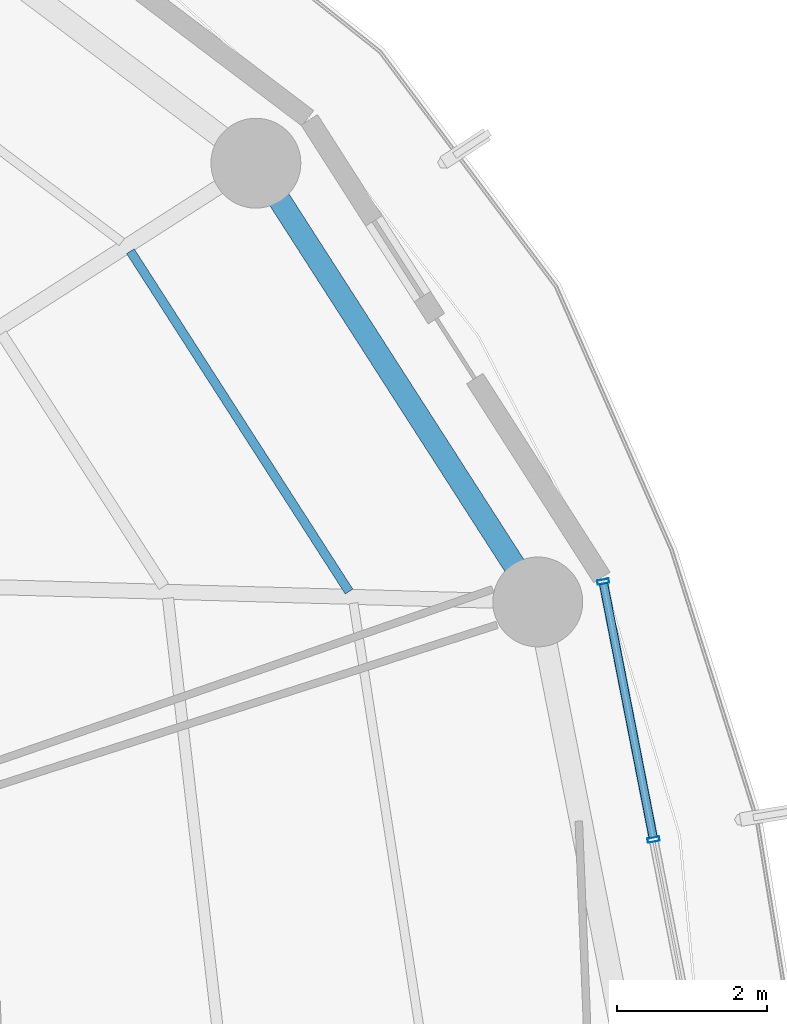
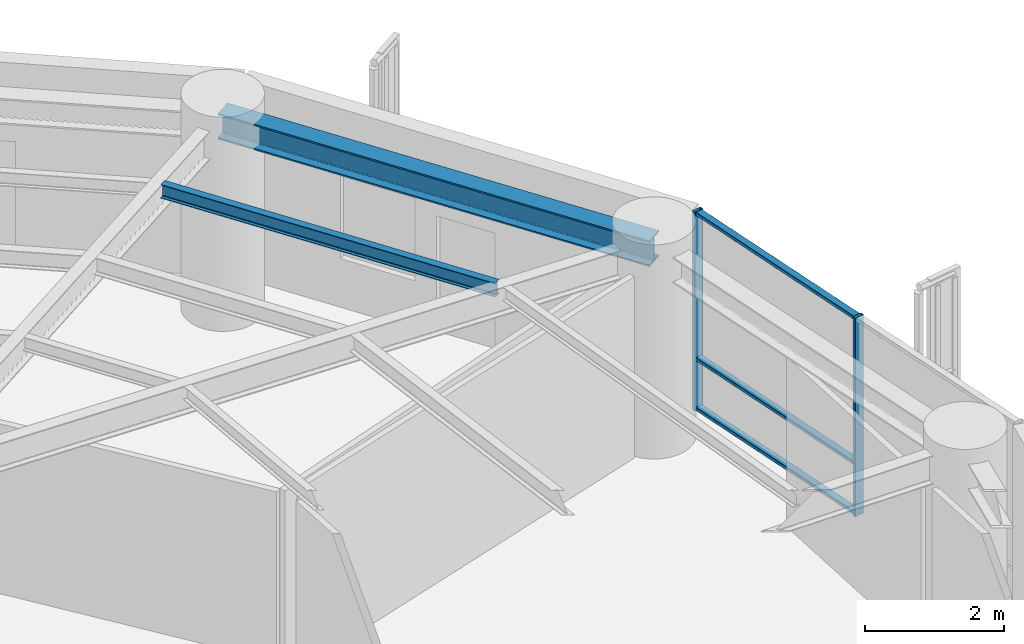
# One storey, part 15 of 27: 5 members, 2 beams, 1 element without a shape of its own.
"""IFC4 building model written with IfcOpenShell, lengths in metres."""

from ifc_helpers import new_model, si_unit, direction, frame, origin, origin_2d, place, context, subcontext, project, spatial, hollow_rectangle, i_section, extrude, material, layer, layer_set, material_profile, profile_set, type_object, element, aggregate, save


model = new_model("IFC4")

# Units and contexts
model_context = context("Model", 3, precision=1e-05, world=origin(), true_north=direction((0.0, 1.0)))
body_context = subcontext(model_context, "Body", "Model", "MODEL_VIEW")
ifc_project = project(units=[si_unit("LENGTHUNIT", "METRE"), si_unit("AREAUNIT", "SQUARE_METRE"), si_unit("VOLUMEUNIT", "CUBIC_METRE"), si_unit("PLANEANGLEUNIT", "RADIAN"), si_unit("MASSUNIT", "GRAM", prefix="KILO")], contexts=[model_context])

# Site, building, storey
site_placement = place(None, origin())
site = spatial("IfcSite", under=ifc_project, at=site_placement, CompositionType="ELEMENT")
building_placement = place(site_placement, origin())
building = spatial("IfcBuilding", under=site, at=building_placement, Name="Kelanora Arch Commons", CompositionType="ELEMENT")
storey_placement = place(building_placement, frame((0.0, 0.0, 173.10009765625)))
storey = spatial("IfcBuildingStorey", under=building, at=storey_placement, Name="L44", CompositionType="ELEMENT", Elevation=173.10009765625)

# Beams
ifc_material_1 = material(Name="Steel S355", Category="steel")
ifc_material_profile_1 = material_profile(ifc_material_1, i_section(OverallWidth=0.1201171875, OverallDepth=0.239990234375, WebThickness=0.006103515625, FlangeThickness=0.009765625, FilletRadius=0.014892578125, at=origin_2d()), Name="IPE240")
ifc_profile_set_1 = profile_set([ifc_material_profile_1], Name="Steel S355")
beam_type_1 = type_object("IfcBeamType", Name="BM-JST-02", PredefinedType="JOIST", material=ifc_profile_set_1)
beam_1_placement = place(storey_placement, frame((91.85205078125, 64.801513671875, 3.369873046875), z_axis=(-0.540581678156, 0.841291536414, 0.0), x_axis=(-0.841291536414, -0.540581678156, 0.0)))
element("IfcBeam", 1, at=beam_1_placement, inside=storey, type_object=beam_type_1, Name="Secondary Chord Joist BJC-02 L44", PredefinedType="JOIST", context=body_context, shape_type="SweptSolid", body=[
    extrude(i_section(OverallWidth=0.1201171875, OverallDepth=0.239990234375, WebThickness=0.006103515625, FlangeThickness=0.009765625, FilletRadius=0.014892578125, at=origin_2d()), origin(), (0.0, 0.0, 1.0), 5.4013671875),
])
ifc_material_profile_2 = material_profile(ifc_material_1, i_section(OverallWidth=0.300048828125, OverallDepth=0.449951171875, WebThickness=0.013916015625, FlangeThickness=0.02587890625, FilletRadius=0.027099609375, at=origin_2d()), Name="HEB450")
ifc_profile_set_2 = profile_set([ifc_material_profile_2], Name="Steel S355")
beam_type_2 = type_object("IfcBeamType", Name="BM-SPN-Z3", PredefinedType="SPANDREL", material=ifc_profile_set_2)
beam_2_placement = place(storey_placement, frame((94.37255859375, 64.66259765625, 3.264892578125), z_axis=(-0.540576852469, 0.841294637196, 0.0), x_axis=(-0.841294637196, -0.540576852469, 0.0)))
element("IfcBeam", 2, at=beam_2_placement, inside=storey, type_object=beam_type_2, Name="Perimeter Spandrel Beam BS-02 L44", PredefinedType="SPANDREL", context=body_context, shape_type="SweptSolid", body=[
    extrude(i_section(OverallWidth=0.300048828125, OverallDepth=0.449951171875, WebThickness=0.013916015625, FlangeThickness=0.02587890625, FilletRadius=0.027099609375, at=origin_2d()), origin(), (0.0, 0.0, 1.0), 6.964111328125),
])

# Curtain wall, members
ifc_material_2 = material(Name="Terracotta ceramic-fritted low-E glass and aluminium", Category="masonry")
ifc_layer = layer(ifc_material_2, 0.175048828125)
ifc_layer_set = layer_set([ifc_layer], Name="Terracotta ceramic-fritted low-E glass and aluminium")
curtain_wall_type = type_object("IfcCurtainWallType", Name="CW-SYS-02", PredefinedType="NOTDEFINED", material=ifc_layer_set)
curtain_wall_placement = place(storey_placement, origin())
curtain_wall = element("IfcCurtainWall", 3, at=curtain_wall_placement, inside=storey, type_object=curtain_wall_type, Name="Unitised Curtain Wall L44-B00", PredefinedType="NOTDEFINED")
ifc_material_3 = material(Name="Powder-coated aluminium terracotta", Category="masonry")
ifc_material_profile_3 = material_profile(ifc_material_3, hollow_rectangle(XDim=0.159912109375, YDim=0.06005859375, WallThickness=0.0048828125, InnerFilletRadius=0.0048828125, OuterFilletRadius=0.010009765625, at=origin_2d()), Name="CWM160x60")
ifc_profile_set_3 = profile_set([ifc_material_profile_3], Name="Powder-coated aluminium terracotta")
member_type_1 = type_object("IfcMemberType", Name="CWM-STD", PredefinedType="MULLION", material=ifc_profile_set_3)
member_1_placement = place(storey_placement, frame((95.91845703125, 61.488525390625, 0.0), z_axis=(0.0, 0.0, 1.0), x_axis=(-0.981452557718, -0.191705182375, 0.0)))
member_1 = element("IfcMember", 4, at=member_1_placement, type_object=member_type_1, Name="CW-02 mullion 2", PredefinedType="MULLION", context=body_context, shape_type="SweptSolid", body=[
    extrude(hollow_rectangle(XDim=0.159912109375, YDim=0.06005859375, WallThickness=0.0048828125, InnerFilletRadius=0.0048828125, OuterFilletRadius=0.010009765625, at=origin_2d()), origin(), (0.0, 0.0, 1.0), 3.474853515625),
])
member_2_placement = place(storey_placement, frame((95.245849609375, 64.93310546875, 0.0), z_axis=(0.0, 0.0, 1.0), x_axis=(-0.981452557718, -0.191705182375, 0.0)))
member_2 = element("IfcMember", 5, at=member_2_placement, type_object=member_type_1, Name="CW-02 mullion 3", PredefinedType="MULLION", context=body_context, shape_type="SweptSolid", body=[
    extrude(hollow_rectangle(XDim=0.159912109375, YDim=0.06005859375, WallThickness=0.0048828125, InnerFilletRadius=0.0048828125, OuterFilletRadius=0.010009765625, at=origin_2d()), origin(), (0.0, 0.0, 1.0), 3.474853515625),
])
ifc_material_profile_4 = material_profile(ifc_material_3, hollow_rectangle(XDim=0.1201171875, YDim=0.06005859375, WallThickness=0.0048828125, InnerFilletRadius=0.0048828125, OuterFilletRadius=0.010009765625, at=origin_2d()), Name="CWT120x60")
ifc_profile_set_4 = profile_set([ifc_material_profile_4], Name="Powder-coated aluminium terracotta")
member_type_2 = type_object("IfcMemberType", Name="CWT-STD", PredefinedType="USERDEFINED", material=ifc_profile_set_4)
member_3_placement = place(storey_placement, frame((95.912841796875, 61.51806640625, 0.02978515625), z_axis=(-0.191731523726, 0.981447412147, 0.0), x_axis=(-0.981447412147, -0.191731523726, 0.0)))
member_3 = element("IfcMember", 6, at=member_3_placement, type_object=member_type_2, Name="CW-02 transom 2.1", ObjectType="TRANSOM", PredefinedType="USERDEFINED", context=body_context, shape_type="SweptSolid", body=[
    extrude(hollow_rectangle(XDim=0.1201171875, YDim=0.06005859375, WallThickness=0.0048828125, InnerFilletRadius=0.0048828125, OuterFilletRadius=0.010009765625, at=origin_2d()), origin(), (0.0, 0.0, 1.0), 3.449462890625),
])
member_4_placement = place(storey_placement, frame((95.912841796875, 61.51806640625, 0.89990234375), z_axis=(-0.191731523726, 0.981447412147, 0.0), x_axis=(-0.981447412147, -0.191731523726, 0.0)))
member_4 = element("IfcMember", 7, at=member_4_placement, type_object=member_type_2, Name="CW-02 transom 2.2", ObjectType="TRANSOM", PredefinedType="USERDEFINED", context=body_context, shape_type="SweptSolid", body=[
    extrude(hollow_rectangle(XDim=0.1201171875, YDim=0.06005859375, WallThickness=0.0048828125, InnerFilletRadius=0.0048828125, OuterFilletRadius=0.010009765625, at=origin_2d()), origin(), (0.0, 0.0, 1.0), 3.449462890625),
])
member_5_placement = place(storey_placement, frame((95.912841796875, 61.51806640625, 3.44482421875), z_axis=(-0.191731523726, 0.981447412147, 0.0), x_axis=(-0.981447412147, -0.191731523726, 0.0)))
member_5 = element("IfcMember", 8, at=member_5_placement, type_object=member_type_2, Name="CW-02 transom 2.3", ObjectType="TRANSOM", PredefinedType="USERDEFINED", context=body_context, shape_type="SweptSolid", body=[
    extrude(hollow_rectangle(XDim=0.1201171875, YDim=0.06005859375, WallThickness=0.0048828125, InnerFilletRadius=0.0048828125, OuterFilletRadius=0.010009765625, at=origin_2d()), origin(), (0.0, 0.0, 1.0), 3.449462890625),
])
aggregate(curtain_wall, [member_1, member_2, member_3, member_4, member_5])

save(model, "model.ifc")
